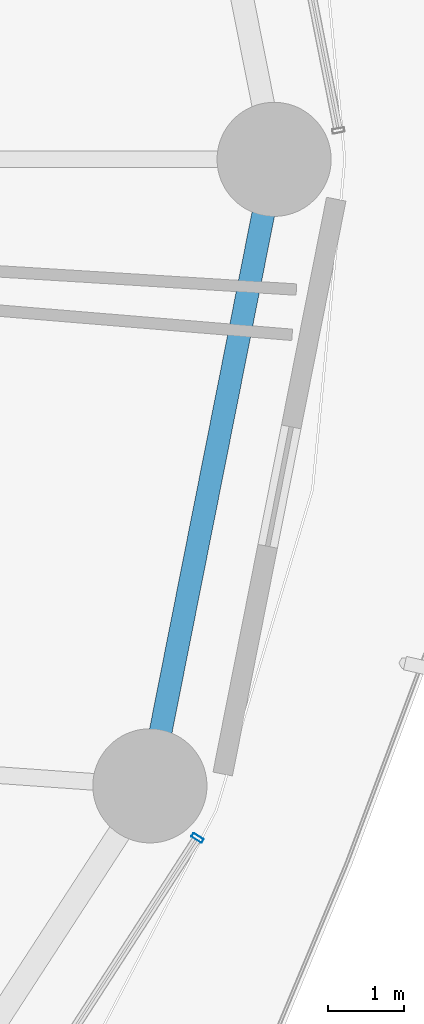
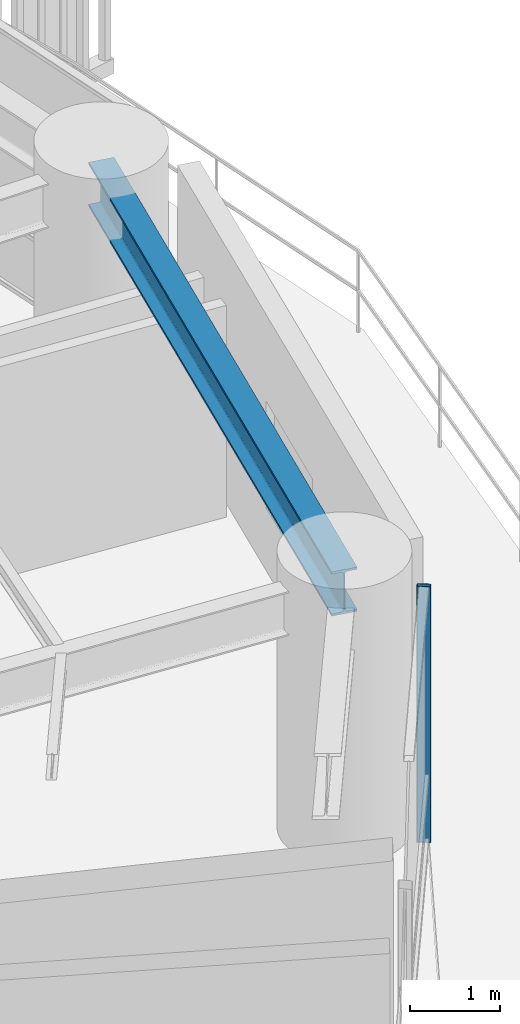
# One storey, part 12 of 31: 1 beam, 1 member, 1 element without a shape of its own.
"""IFC4 building model written with IfcOpenShell, lengths in metres."""

from ifc_helpers import new_model, si_unit, direction, frame, origin, origin_2d, place, context, subcontext, project, spatial, hollow_rectangle, i_section, extrude, material, layer, layer_set, material_profile, profile_set, type_object, element, aggregate, save


model = new_model("IFC4")

# Units and contexts
model_context = context("Model", 3, precision=1e-05, world=origin(), true_north=direction((0.0, 1.0)))
body_context = subcontext(model_context, "Body", "Model", "MODEL_VIEW")
ifc_project = project(units=[si_unit("LENGTHUNIT", "METRE"), si_unit("AREAUNIT", "SQUARE_METRE"), si_unit("VOLUMEUNIT", "CUBIC_METRE"), si_unit("PLANEANGLEUNIT", "RADIAN"), si_unit("MASSUNIT", "GRAM", prefix="KILO")], contexts=[model_context])

# Site, building, storey
site_placement = place(None, origin())
site = spatial("IfcSite", under=ifc_project, at=site_placement, CompositionType="ELEMENT")
building_placement = place(site_placement, origin())
building = spatial("IfcBuilding", under=site, at=building_placement, Name="Kelanora Arch Commons", CompositionType="ELEMENT")
storey_placement = place(building_placement, frame((0.0, 0.0, 63.75)))
storey = spatial("IfcBuildingStorey", under=building, at=storey_placement, Name="L16", CompositionType="ELEMENT", Elevation=63.75)

# Beam
ifc_material_1 = material(Name="Steel S355", Category="steel")
ifc_material_profile_1 = material_profile(ifc_material_1, i_section(OverallWidth=0.300048828125, OverallDepth=0.60009765625, WebThickness=0.015380859375, FlangeThickness=0.030029296875, FilletRadius=0.027099609375, at=origin_2d()), Name="HEB600")
ifc_profile_set_1 = profile_set([ifc_material_profile_1], Name="Steel S355")
beam_type = type_object("IfcBeamType", Name="BM-SPN-Z1", PredefinedType="SPANDREL", material=ifc_profile_set_1)
beam_placement = place(storey_placement, frame((99.447021484375, 49.76416015625, 3.18994140625), z_axis=(0.194499827256, 0.980902552345, 0.0), x_axis=(-0.980902552345, 0.194499827256, 0.0)))
element("IfcBeam", 1, at=beam_placement, inside=storey, type_object=beam_type, Name="Perimeter Spandrel Beam BS-34 L16", PredefinedType="SPANDREL", context=body_context, shape_type="SweptSolid", body=[
    extrude(i_section(OverallWidth=0.300048828125, OverallDepth=0.60009765625, WebThickness=0.015380859375, FlangeThickness=0.030029296875, FilletRadius=0.027099609375, at=origin_2d()), origin(), (0.0, 0.0, 1.0), 8.396240234375),
])

# Curtain wall, member
ifc_material_2 = material(Name="Terracotta ceramic-fritted low-E glass and aluminium", Category="masonry")
ifc_layer = layer(ifc_material_2, 0.159912109375)
ifc_layer_set = layer_set([ifc_layer], Name="Terracotta ceramic-fritted low-E glass and aluminium")
curtain_wall_type = type_object("IfcCurtainWallType", Name="CW-SYS-01", PredefinedType="NOTDEFINED", material=ifc_layer_set)
curtain_wall_placement = place(storey_placement, origin())
curtain_wall = element("IfcCurtainWall", 2, at=curtain_wall_placement, inside=storey, type_object=curtain_wall_type, Name="Unitised Curtain Wall L16-B16", PredefinedType="NOTDEFINED")
ifc_material_3 = material(Name="Powder-coated aluminium terracotta", Category="masonry")
ifc_material_profile_2 = material_profile(ifc_material_3, hollow_rectangle(XDim=0.159912109375, YDim=0.06005859375, WallThickness=0.0048828125, InnerFilletRadius=0.0048828125, OuterFilletRadius=0.010009765625, at=origin_2d()), Name="CWM160x60")
ifc_profile_set_2 = profile_set([ifc_material_profile_2], Name="Powder-coated aluminium terracotta")
member_type = type_object("IfcMemberType", Name="CWM-STD", PredefinedType="MULLION", material=ifc_profile_set_2)
member_placement = place(storey_placement, frame((100.072265625, 49.07958984375, 0.0), z_axis=(0.0, 0.0, 1.0), x_axis=(-0.83972982332, 0.543004441812, 0.0)))
member = element("IfcMember", 3, at=member_placement, type_object=member_type, Name="CW-01 mullion 3", PredefinedType="MULLION", context=body_context, shape_type="SweptSolid", body=[
    extrude(hollow_rectangle(XDim=0.159912109375, YDim=0.06005859375, WallThickness=0.0048828125, InnerFilletRadius=0.0048828125, OuterFilletRadius=0.010009765625, at=origin_2d()), origin(), (0.0, 0.0, 1.0), 3.47509765625),
])
aggregate(curtain_wall, [member])

save(model, "model.ifc")
